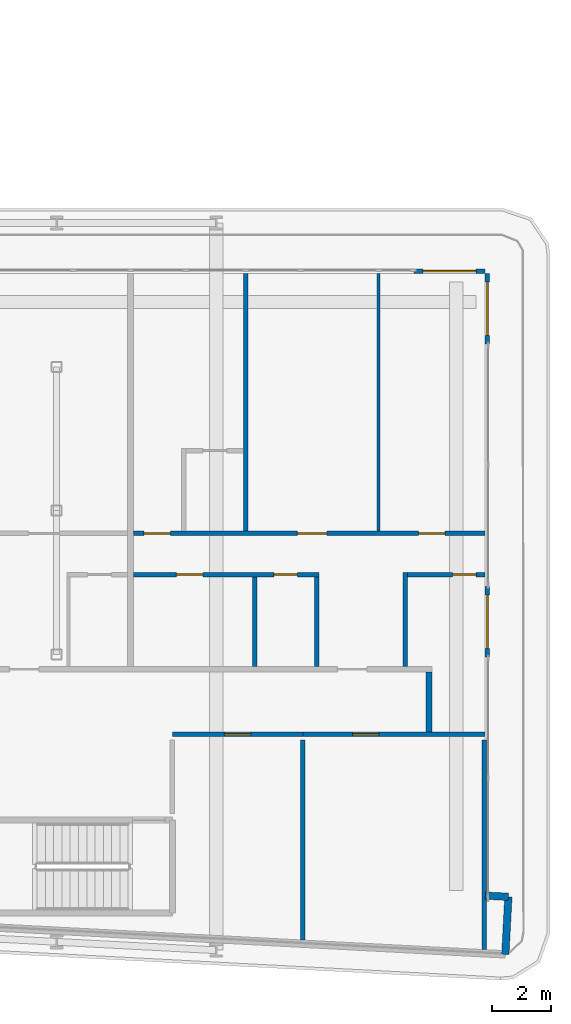
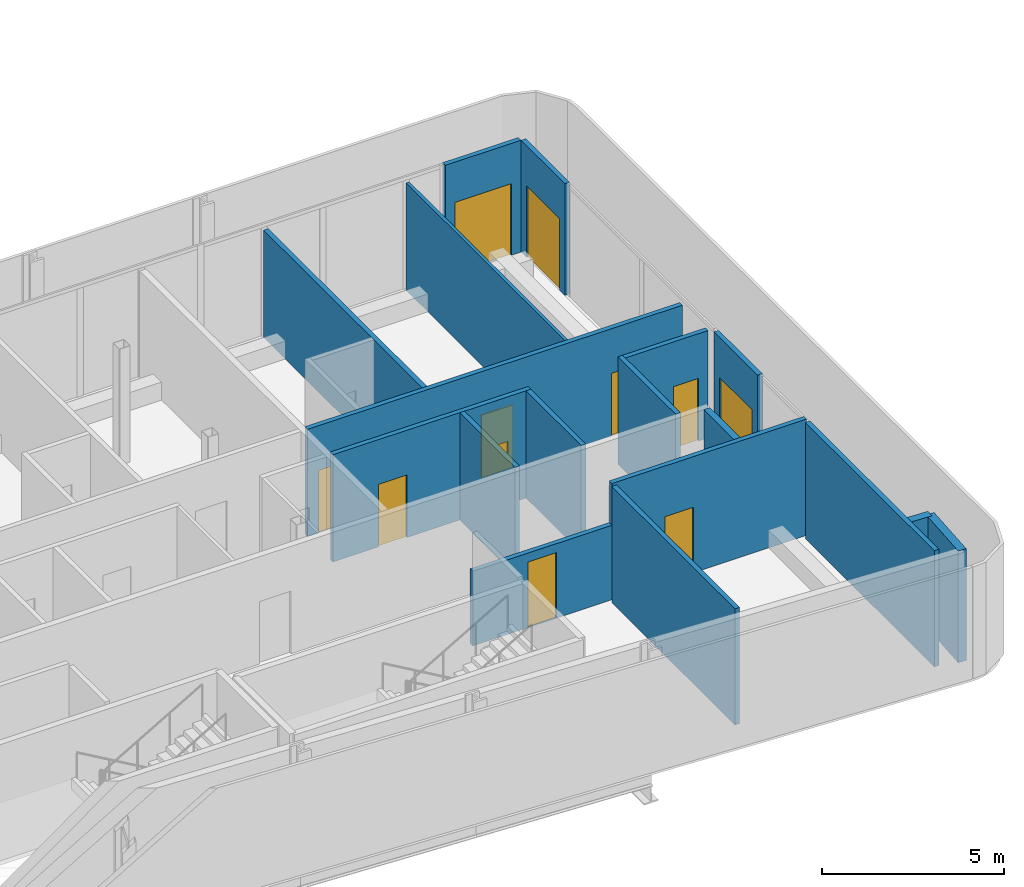
# One storey, part 20 of 29: 18 walls, 11 doors, 11 openings.
"""IFC4 building model written with IfcOpenShell, lengths in metres."""

from ifc_helpers import new_model, si_unit, direction, frame, frame_2d, origin, place, context, subcontext, project, spatial, rectangle, extrude, source, transform, mapped, material, layer, layer_set, type_object, element, fill, save


model = new_model("IFC4")

# Units and contexts
model_context = context("Model", 3, precision=1e-05, world=origin(), true_north=direction((0.0, 1.0)))
body_context = subcontext(model_context, "Body", "Model", "MODEL_VIEW")
ifc_project = project(units=[si_unit("LENGTHUNIT", "METRE"), si_unit("AREAUNIT", "SQUARE_METRE"), si_unit("VOLUMEUNIT", "CUBIC_METRE"), si_unit("PLANEANGLEUNIT", "RADIAN"), si_unit("MASSUNIT", "GRAM", prefix="KILO")], contexts=[model_context])

# Site, building, storey
site_placement = place(None, origin())
site = spatial("IfcSite", under=ifc_project, at=site_placement, CompositionType="ELEMENT")
building_placement = place(site_placement, origin())
building = spatial("IfcBuilding", under=site, at=building_placement, Name="Kheshtan School and Residences Tower", CompositionType="ELEMENT")
storey_placement = place(building_placement, frame((0.0, 0.0, 65.60009765625)))
storey = spatial("IfcBuildingStorey", under=building, at=storey_placement, Name="L15", CompositionType="ELEMENT", Elevation=65.60009765625)

# Walls
ifc_material_1 = material(Name="Gypsum board on steel studs with fire boards", Category="steel")
ifc_layer_1 = layer(ifc_material_1, 0.199951171875)
ifc_layer_set_1 = layer_set([ifc_layer_1], Name="Corridor wall 200")
wall_type_1 = type_object("IfcWallType", Name="Corridor wall 200", PredefinedType="PARTITIONING", material=ifc_layer_set_1)
wall_1_placement = place(storey_placement, frame((98.0, 28.3740234375, 0.0), z_axis=(0.0, 0.0, 1.0), x_axis=(0.0, 1.0, 0.0)))
element("IfcWall", 1, at=wall_1_placement, inside=storey, type_object=wall_type_1, Name="Partition L15-083", PredefinedType="PARTITIONING", context=body_context, shape_type="SweptSolid", body=[
    extrude(rectangle(XDim=2.02587890625, YDim=0.199951171875, at=frame_2d((1.012939453125, 0.0))), origin(), (0.0, 0.0, 1.0), 3.599853515625),
])
ifc_material_2 = material(Name="Concrete C40/50 with ceramic cladding and mineral wool insulation", Category="concrete")
ifc_layer_2 = layer(ifc_material_2, 0.25)
ifc_layer_set_2 = layer_set([ifc_layer_2], Name="External wall 250 ceramic clad")
wall_type_2 = type_object("IfcWallType", Name="External wall 250 ceramic clad", PredefinedType="SOLIDWALL", material=ifc_layer_set_2)
wall_2_placement = place(storey_placement, frame((99.906982421875, 22.839111328125, 0.0), z_axis=(0.0, 0.0, 1.0), x_axis=(0.998561284263, -0.053622398031, 0.0)))
element("IfcWall", 2, at=wall_2_placement, inside=storey, type_object=wall_type_2, Name="External wall L15 14", PredefinedType="SOLIDWALL", context=body_context, shape_type="SweptSolid", body=[
    extrude(rectangle(XDim=0.783203125, YDim=0.25, at=frame_2d((0.3916015625, 0.0))), origin(), (0.0, 0.0, 1.0), 3.75),
])
wall_3_placement = place(storey_placement, frame((100.68896484375, 22.797119140625, 0.0), z_axis=(0.0, 0.0, 1.0), x_axis=(-0.052841433274, -0.998602915542, 0.0)))
element("IfcWall", 3, at=wall_3_placement, inside=storey, type_object=wall_type_2, Name="External wall L15 15", PredefinedType="SOLIDWALL", context=body_context, shape_type="SweptSolid", body=[
    extrude(rectangle(XDim=1.94970703125, YDim=0.25, at=frame_2d((0.974853515625, 0.0))), origin(), (0.0, 0.0, 1.0), 3.75),
])

# Wall, opening, door
ifc_material_3 = material(Name="Aluminium frame wall with insulated infill", Category="aluminium")
ifc_layer_3 = layer(ifc_material_3, 0.14990234375)
ifc_layer_set_3 = layer_set([ifc_layer_3], Name="Glazing frame wall 150")
wall_type_3 = type_object("IfcWallType", Name="Glazing frame wall 150", PredefinedType="SOLIDWALL", material=ifc_layer_set_3)
wall_4_placement = place(storey_placement, frame((97.5, 43.97509765625, 0.0), z_axis=(0.0, 0.0, 1.0), x_axis=(1.0, 0.0, 0.0)))
wall_4 = element("IfcWall", 4, at=wall_4_placement, inside=storey, type_object=wall_type_3, Name="Balcony door wall L15 12.5", PredefinedType="SOLIDWALL", context=body_context, shape_type="SweptSolid", body=[
    extrude(rectangle(XDim=2.39990234375, YDim=0.14990234375, at=frame_2d((1.199951171875, 0.0))), origin(), (0.0, 0.0, 1.0), 3.75),
])
opening_1_placement = place(wall_4_placement, frame((0.300048828125, 0.0, 0.0)))
opening_1 = element("IfcOpeningElement", 5, at=opening_1_placement, cuts=wall_4, Name="Opening BD", PredefinedType="OPENING", context=body_context, shape_type="SweptSolid", body=[
    extrude(rectangle(XDim=1.800048828125, YDim=2.39990234375, at=frame_2d((0.89990234375, 1.199951171875))), frame((0.0, 0.0849609375, 0.0), z_axis=(0.0, -1.0, 0.0), x_axis=(1.0, 0.0, 0.0)), (0.0, 0.0, 1.0), 0.169921875),
])
ifc_material_4 = material(Name="Clear low-e glass in thermally broken aluminium frame", Category="aluminium")
door_type_1 = type_object("IfcDoorType", Name="Balcony sliding door", OperationType="SLIDING_TO_LEFT", PredefinedType="DOOR", material=ifc_material_4)
shared_shape_1 = source(origin(), body_context, "Body", "SweptSolid", [
    extrude(rectangle(XDim=1.800048828125, YDim=2.39990234375, at=frame_2d((0.89990234375, 1.199951171875))), frame((0.0, 0.02490234375, 0.0), z_axis=(0.0, -1.0, 0.0), x_axis=(1.0, 0.0, 0.0)), (0.0, 0.0, 1.0), 0.050048828125),
])
door_1_placement = place(opening_1_placement, origin())
door_1 = element("IfcDoor", 6, at=door_1_placement, inside=storey, type_object=door_type_1, Name="Balcony door L15 12.5", OperationType="SLIDING_TO_LEFT", OverallHeight=2.39990234375, OverallWidth=1.800048828125, PredefinedType="DOOR", context=body_context, shape_type="MappedRepresentation", body=[
    mapped(shared_shape_1, transform((0.0, 0.0, 0.0), x_axis=(1.0, 0.0, 0.0), y_axis=(0.0, 1.0, 0.0), z_axis=(0.0, 0.0, 1.0), scale=1.0)),
])
fill(opening_1, door_1)

wall_5_placement = place(storey_placement, frame((99.97509765625, 43.89990234375, 0.0), z_axis=(0.0, 0.0, 1.0), x_axis=(0.0, -1.0, 0.0)))
wall_5 = element("IfcWall", 7, at=wall_5_placement, inside=storey, type_object=wall_type_3, Name="Balcony door wall L15 13.1", PredefinedType="SOLIDWALL", context=body_context, shape_type="SweptSolid", body=[
    extrude(rectangle(XDim=2.39990234375, YDim=0.14990234375, at=frame_2d((1.199951171875, 0.0))), origin(), (0.0, 0.0, 1.0), 3.75),
])
opening_2_placement = place(wall_5_placement, frame((0.300048828125, 0.0, 0.0)))
opening_2 = element("IfcOpeningElement", 8, at=opening_2_placement, cuts=wall_5, Name="Opening BD", PredefinedType="OPENING", context=body_context, shape_type="SweptSolid", body=[
    extrude(rectangle(XDim=1.800048828125, YDim=2.39990234375, at=frame_2d((0.89990234375, 1.199951171875))), frame((0.0, 0.0849609375, 0.0), z_axis=(0.0, -1.0, 0.0), x_axis=(1.0, 0.0, 0.0)), (0.0, 0.0, 1.0), 0.169921875),
])
door_2_placement = place(opening_2_placement, origin())
door_2 = element("IfcDoor", 9, at=door_2_placement, inside=storey, type_object=door_type_1, Name="Balcony door L15 13.1", OperationType="SLIDING_TO_LEFT", OverallHeight=2.39990234375, OverallWidth=1.800048828125, PredefinedType="DOOR", context=body_context, shape_type="MappedRepresentation", body=[
    mapped(shared_shape_1, transform((0.0, 0.0, 0.0), x_axis=(1.0, 0.0, 0.0), y_axis=(0.0, 1.0, 0.0), z_axis=(0.0, 0.0, 1.0), scale=1.0)),
])
fill(opening_2, door_2)

wall_6_placement = place(storey_placement, frame((99.97509765625, 33.306884765625, 0.0), z_axis=(0.0, 0.0, 1.0), x_axis=(0.0, -1.0, 0.0)))
wall_6 = element("IfcWall", 10, at=wall_6_placement, inside=storey, type_object=wall_type_3, Name="Balcony door wall L15 13.2", PredefinedType="SOLIDWALL", context=body_context, shape_type="SweptSolid", body=[
    extrude(rectangle(XDim=2.39990234375, YDim=0.14990234375, at=frame_2d((1.199951171875, 0.0))), origin(), (0.0, 0.0, 1.0), 3.75),
])
opening_3_placement = place(wall_6_placement, frame((0.300048828125, 0.0, 0.0)))
opening_3 = element("IfcOpeningElement", 11, at=opening_3_placement, cuts=wall_6, Name="Opening BD", PredefinedType="OPENING", context=body_context, shape_type="SweptSolid", body=[
    extrude(rectangle(XDim=1.800048828125, YDim=2.39990234375, at=frame_2d((0.89990234375, 1.199951171875))), frame((0.0, 0.0849609375, 0.0), z_axis=(0.0, -1.0, 0.0), x_axis=(1.0, 0.0, 0.0)), (0.0, 0.0, 1.0), 0.169921875),
])
door_3_placement = place(opening_3_placement, origin())
door_3 = element("IfcDoor", 12, at=door_3_placement, inside=storey, type_object=door_type_1, Name="Balcony door L15 13.2", OperationType="SLIDING_TO_LEFT", OverallHeight=2.39990234375, OverallWidth=1.800048828125, PredefinedType="DOOR", context=body_context, shape_type="MappedRepresentation", body=[
    mapped(shared_shape_1, transform((0.0, 0.0, 0.0), x_axis=(1.0, 0.0, 0.0), y_axis=(0.0, 1.0, 0.0), z_axis=(0.0, 0.0, 1.0), scale=1.0)),
])
fill(opening_3, door_3)

# Wall
ifc_material_5 = material(Name="Gypsum board on steel studs", Category="steel")
ifc_layer_4 = layer(ifc_material_5, 0.10009765625)
ifc_layer_set_4 = layer_set([ifc_layer_4], Name="Gypsum partition 100")
wall_type_4 = type_object("IfcWallType", Name="Gypsum partition 100", PredefinedType="PARTITIONING", material=ifc_layer_set_4)
wall_7_placement = place(storey_placement, frame((96.300048828125, 35.175048828125, 0.0), z_axis=(0.0, 0.0, 1.0), x_axis=(0.0, 1.0, 0.0)))
element("IfcWall", 13, at=wall_7_placement, inside=storey, type_object=wall_type_4, Name="Partition L15-080", PredefinedType="PARTITIONING", context=body_context, shape_type="SweptSolid", body=[
    extrude(rectangle(XDim=8.724853515625, YDim=0.10009765625, at=frame_2d((4.3623046875, 0.0))), origin(), (0.0, 0.0, 1.0), 3.599853515625),
])

# Wall, opening, door
ifc_material_6 = material(Name="Fire-board shaft wall system")
ifc_layer_5 = layer(ifc_material_6, 0.14990234375)
ifc_layer_set_5 = layer_set([ifc_layer_5], Name="Service room wall 150")
wall_type_5 = type_object("IfcWallType", Name="Service room wall 150", PredefinedType="PARTITIONING", material=ifc_layer_set_5)
wall_8_placement = place(storey_placement, frame((89.320068359375, 28.300048828125, 0.0), z_axis=(0.0, 0.0, 1.0), x_axis=(1.0, 0.0, 0.0)))
wall_8 = element("IfcWall", 14, at=wall_8_placement, inside=storey, type_object=wall_type_5, Name="Service room wall", PredefinedType="PARTITIONING", context=body_context, shape_type="SweptSolid", body=[
    extrude(rectangle(XDim=4.412841796875, YDim=0.14990234375, at=frame_2d((2.20654296875, 0.0))), origin(), (0.0, 0.0, 1.0), 2.5),
])
opening_4_placement = place(wall_8_placement, frame((1.756103515625, 0.0, 0.0)))
opening_4 = element("IfcOpeningElement", 15, at=opening_4_placement, cuts=wall_8, Name="Opening SR90", PredefinedType="OPENING", context=body_context, shape_type="SweptSolid", body=[
    extrude(rectangle(XDim=0.89990234375, YDim=2.199951171875, at=frame_2d((0.449951171875, 1.10009765625))), frame((0.0, 0.0849609375, 0.0), z_axis=(0.0, -1.0, 0.0), x_axis=(1.0, 0.0, 0.0)), (0.0, 0.0, 1.0), 0.169921875),
])
ifc_material_7 = material(Name="Steel door leaf, galvanised", Category="steel")
door_type_2 = type_object("IfcDoorType", Name="Service room door 900 steel 90 min", OperationType="SINGLE_SWING_LEFT", PredefinedType="DOOR", material=ifc_material_7)
shared_shape_2 = source(origin(), body_context, "Body", "SweptSolid", [
    extrude(rectangle(XDim=0.89990234375, YDim=2.199951171875, at=frame_2d((0.449951171875, 1.10009765625))), frame((0.0, 0.02490234375, 0.0), z_axis=(0.0, -1.0, 0.0), x_axis=(1.0, 0.0, 0.0)), (0.0, 0.0, 1.0), 0.050048828125),
])
door_4_placement = place(opening_4_placement, origin())
door_4 = element("IfcDoor", 16, at=door_4_placement, inside=storey, type_object=door_type_2, Name="Service room door", OperationType="SINGLE_SWING_LEFT", OverallHeight=2.199951171875, OverallWidth=0.89990234375, PredefinedType="DOOR", context=body_context, shape_type="MappedRepresentation", body=[
    mapped(shared_shape_2, transform((0.0, 0.0, 0.0), x_axis=(1.0, 0.0, 0.0), y_axis=(0.0, 1.0, 0.0), z_axis=(0.0, 0.0, 1.0), scale=1.0)),
])
fill(opening_4, door_4)

# Wall
wall_9_placement = place(storey_placement, frame((93.73291015625, 21.337890625, 0.0), z_axis=(0.0, 0.0, 1.0), x_axis=(0.0, 1.0, 0.0)))
element("IfcWall", 17, at=wall_9_placement, inside=storey, type_object=wall_type_5, Name="Service room wall", PredefinedType="PARTITIONING", context=body_context, shape_type="SweptSolid", body=[
    extrude(rectangle(XDim=6.76708984375, YDim=0.14990234375, at=frame_2d((3.383544921875, 0.0))), origin(), (0.0, 0.0, 1.0), 3.89990234375),
])

# Wall, opening, door
wall_10_placement = place(storey_placement, frame((93.73291015625, 28.300048828125, 0.0), z_axis=(0.0, 0.0, 1.0), x_axis=(1.0, 0.0, 0.0)))
wall_10 = element("IfcWall", 18, at=wall_10_placement, inside=storey, type_object=wall_type_5, Name="Service room wall", PredefinedType="PARTITIONING", context=body_context, shape_type="SweptSolid", body=[
    extrude(rectangle(XDim=6.1650390625, YDim=0.14990234375, at=frame_2d((3.08251953125, 0.0))), origin(), (0.0, 0.0, 1.0), 3.89990234375),
])
opening_5_placement = place(wall_10_placement, frame((1.68310546875, 0.0, 0.0)))
opening_5 = element("IfcOpeningElement", 19, at=opening_5_placement, cuts=wall_10, Name="Opening SR90", PredefinedType="OPENING", context=body_context, shape_type="SweptSolid", body=[
    extrude(rectangle(XDim=0.89990234375, YDim=2.199951171875, at=frame_2d((0.449951171875, 1.10009765625))), frame((0.0, 0.0849609375, 0.0), z_axis=(0.0, -1.0, 0.0), x_axis=(1.0, 0.0, 0.0)), (0.0, 0.0, 1.0), 0.169921875),
])
door_5_placement = place(opening_5_placement, origin())
door_5 = element("IfcDoor", 20, at=door_5_placement, inside=storey, type_object=door_type_2, Name="Service room door", OperationType="SINGLE_SWING_RIGHT", OverallHeight=2.199951171875, OverallWidth=0.89990234375, PredefinedType="DOOR", context=body_context, shape_type="MappedRepresentation", body=[
    mapped(shared_shape_2, transform((0.0, 0.0, 0.0), x_axis=(1.0, 0.0, 0.0), y_axis=(0.0, 1.0, 0.0), z_axis=(0.0, 0.0, 1.0), scale=1.0)),
])
fill(opening_5, door_5)

# Wall
wall_11_placement = place(storey_placement, frame((99.8701171875, 21.014892578125, 0.0), z_axis=(0.0, 0.0, 1.0), x_axis=(0.0, 1.0, 0.0)))
element("IfcWall", 21, at=wall_11_placement, inside=storey, type_object=wall_type_5, Name="Service room wall", PredefinedType="PARTITIONING", context=body_context, shape_type="SweptSolid", body=[
    extrude(rectangle(XDim=7.090087890625, YDim=0.14990234375, at=frame_2d((3.544921875, 0.0))), origin(), (0.0, 0.0, 1.0), 3.89990234375),
])

# Wall, openings, doors
ifc_material_8 = material(Name="Moisture-resistant gypsum board on steel studs", Category="steel")
ifc_layer_6 = layer(ifc_material_8, 0.14990234375)
ifc_layer_set_6 = layer_set([ifc_layer_6], Name="Wet-room partition 150")
wall_type_6 = type_object("IfcWallType", Name="Wet-room partition 150", PredefinedType="PARTITIONING", material=ifc_layer_set_6)
wall_12_placement = place(storey_placement, frame((88.0, 33.699951171875, 0.0), z_axis=(0.0, 0.0, 1.0), x_axis=(1.0, 0.0, 0.0)))
wall_12 = element("IfcWall", 22, at=wall_12_placement, inside=storey, type_object=wall_type_6, Name="Partition L15-073", PredefinedType="PARTITIONING", context=body_context, shape_type="SweptSolid", body=[
    extrude(rectangle(XDim=6.27490234375, YDim=0.14990234375, at=frame_2d((3.137451171875, 0.0))), origin(), (0.0, 0.0, 1.0), 3.599853515625),
])
opening_6_placement = place(wall_12_placement, frame((1.449951171875, 0.0, 0.0)))
opening_6 = element("IfcOpeningElement", 23, at=opening_6_placement, cuts=wall_12, Name="Opening D14-029", PredefinedType="OPENING", context=body_context, shape_type="SweptSolid", body=[
    extrude(rectangle(XDim=0.89990234375, YDim=2.10009765625, at=frame_2d((0.449951171875, 1.050048828125))), frame((0.0, 0.0849609375, 0.0), z_axis=(0.0, -1.0, 0.0), x_axis=(1.0, 0.0, 0.0)), (0.0, 0.0, 1.0), 0.169921875),
])
opening_7_placement = place(wall_12_placement, frame((4.75, 0.0, 0.0)))
opening_7 = element("IfcOpeningElement", 24, at=opening_7_placement, cuts=wall_12, Name="Opening D14-032", PredefinedType="OPENING", context=body_context, shape_type="SweptSolid", body=[
    extrude(rectangle(XDim=0.800048828125, YDim=2.10009765625, at=frame_2d((0.39990234375, 1.050048828125))), frame((0.0, 0.0849609375, 0.0), z_axis=(0.0, -1.0, 0.0), x_axis=(1.0, 0.0, 0.0)), (0.0, 0.0, 1.0), 0.169921875),
])
ifc_material_9 = material(Name="Veneered timber door leaf", Category="wood")
door_type_3 = type_object("IfcDoorType", Name="Door 800 x 2100", OperationType="SINGLE_SWING_LEFT", PredefinedType="DOOR", material=ifc_material_9)
shared_shape_3 = source(origin(), body_context, "Body", "SweptSolid", [
    extrude(rectangle(XDim=0.800048828125, YDim=2.10009765625, at=frame_2d((0.39990234375, 1.050048828125))), frame((0.0, 0.02490234375, 0.0), z_axis=(0.0, -1.0, 0.0), x_axis=(1.0, 0.0, 0.0)), (0.0, 0.0, 1.0), 0.050048828125),
])
door_6_placement = place(opening_7_placement, origin())
door_6 = element("IfcDoor", 25, at=door_6_placement, inside=storey, type_object=door_type_3, Name="Door D14-032", OperationType="SINGLE_SWING_LEFT", OverallHeight=2.10009765625, OverallWidth=0.800048828125, PredefinedType="DOOR", context=body_context, shape_type="MappedRepresentation", body=[
    mapped(shared_shape_3, transform((0.0, 0.0, 0.0), x_axis=(1.0, 0.0, 0.0), y_axis=(0.0, 1.0, 0.0), z_axis=(0.0, 0.0, 1.0), scale=1.0)),
])
fill(opening_7, door_6)
door_type_4 = type_object("IfcDoorType", Name="Door 900 x 2100", OperationType="SINGLE_SWING_LEFT", PredefinedType="DOOR", material=ifc_material_9)
shared_shape_4 = source(origin(), body_context, "Body", "SweptSolid", [
    extrude(rectangle(XDim=0.89990234375, YDim=2.10009765625, at=frame_2d((0.449951171875, 1.050048828125))), frame((0.0, 0.02490234375, 0.0), z_axis=(0.0, -1.0, 0.0), x_axis=(1.0, 0.0, 0.0)), (0.0, 0.0, 1.0), 0.050048828125),
])
door_7_placement = place(opening_6_placement, origin())
door_7 = element("IfcDoor", 26, at=door_7_placement, inside=storey, type_object=door_type_4, Name="Door D14-029", OperationType="SINGLE_SWING_LEFT", OverallHeight=2.10009765625, OverallWidth=0.89990234375, PredefinedType="DOOR", context=body_context, shape_type="MappedRepresentation", body=[
    mapped(shared_shape_4, transform((0.0, 0.0, 0.0), x_axis=(1.0, 0.0, 0.0), y_axis=(0.0, 1.0, 0.0), z_axis=(0.0, 0.0, 1.0), scale=1.0)),
])
fill(opening_6, door_7)

wall_13_placement = place(storey_placement, frame((88.0, 35.10009765625, 0.0), z_axis=(0.0, 0.0, 1.0), x_axis=(1.0, 0.0, 0.0)))
wall_13 = element("IfcWall", 27, at=wall_13_placement, inside=storey, type_object=wall_type_6, Name="Partition L15-074", PredefinedType="PARTITIONING", context=body_context, shape_type="SweptSolid", body=[
    extrude(rectangle(XDim=11.89990234375, YDim=0.14990234375, at=frame_2d((5.949951171875, 0.0))), origin(), (0.0, 0.0, 1.0), 3.599853515625),
])
opening_8_placement = place(wall_13_placement, frame((9.64990234375, 0.0, 0.0)))
opening_8 = element("IfcOpeningElement", 28, at=opening_8_placement, cuts=wall_13, Name="Opening D14-026", PredefinedType="OPENING", context=body_context, shape_type="SweptSolid", body=[
    extrude(rectangle(XDim=0.89990234375, YDim=2.10009765625, at=frame_2d((0.449951171875, 1.050048828125))), frame((0.0, 0.0849609375, 0.0), z_axis=(0.0, -1.0, 0.0), x_axis=(1.0, 0.0, 0.0)), (0.0, 0.0, 1.0), 0.169921875),
])
opening_9_placement = place(wall_13_placement, frame((5.550048828125, 0.0, 0.0)))
opening_9 = element("IfcOpeningElement", 29, at=opening_9_placement, cuts=wall_13, Name="Opening D14-030", PredefinedType="OPENING", context=body_context, shape_type="SweptSolid", body=[
    extrude(rectangle(XDim=1.0, YDim=2.10009765625, at=frame_2d((0.5, 1.050048828125))), frame((0.0, 0.0849609375, 0.0), z_axis=(0.0, -1.0, 0.0), x_axis=(1.0, 0.0, 0.0)), (0.0, 0.0, 1.0), 0.169921875),
])
opening_10_placement = place(wall_13_placement, frame((0.35009765625, 0.0, 0.0)))
opening_10 = element("IfcOpeningElement", 30, at=opening_10_placement, cuts=wall_13, Name="Opening D14-031", PredefinedType="OPENING", context=body_context, shape_type="SweptSolid", body=[
    extrude(rectangle(XDim=0.89990234375, YDim=2.10009765625, at=frame_2d((0.449951171875, 1.050048828125))), frame((0.0, 0.0849609375, 0.0), z_axis=(0.0, -1.0, 0.0), x_axis=(1.0, 0.0, 0.0)), (0.0, 0.0, 1.0), 0.169921875),
])
door_type_5 = type_object("IfcDoorType", Name="Door 1000 x 2100", OperationType="SINGLE_SWING_LEFT", PredefinedType="DOOR", material=ifc_material_9)
shared_shape_5 = source(origin(), body_context, "Body", "SweptSolid", [
    extrude(rectangle(XDim=1.0, YDim=2.10009765625, at=frame_2d((0.5, 1.050048828125))), frame((0.0, 0.02490234375, 0.0), z_axis=(0.0, -1.0, 0.0), x_axis=(1.0, 0.0, 0.0)), (0.0, 0.0, 1.0), 0.050048828125),
])
door_8_placement = place(opening_9_placement, origin())
door_8 = element("IfcDoor", 31, at=door_8_placement, inside=storey, type_object=door_type_5, Name="Door D14-030", OperationType="SINGLE_SWING_LEFT", OverallHeight=2.10009765625, OverallWidth=1.0, PredefinedType="DOOR", context=body_context, shape_type="MappedRepresentation", body=[
    mapped(shared_shape_5, transform((0.0, 0.0, 0.0), x_axis=(1.0, 0.0, 0.0), y_axis=(0.0, 1.0, 0.0), z_axis=(0.0, 0.0, 1.0), scale=1.0)),
])
fill(opening_9, door_8)
door_9_placement = place(opening_8_placement, origin())
door_9 = element("IfcDoor", 32, at=door_9_placement, inside=storey, type_object=door_type_4, Name="Door D14-026", OperationType="SINGLE_SWING_LEFT", OverallHeight=2.10009765625, OverallWidth=0.89990234375, PredefinedType="DOOR", context=body_context, shape_type="MappedRepresentation", body=[
    mapped(shared_shape_4, transform((0.0, 0.0, 0.0), x_axis=(1.0, 0.0, 0.0), y_axis=(0.0, 1.0, 0.0), z_axis=(0.0, 0.0, 1.0), scale=1.0)),
])
fill(opening_8, door_9)
door_10_placement = place(opening_10_placement, origin())
door_10 = element("IfcDoor", 33, at=door_10_placement, inside=storey, type_object=door_type_4, Name="Door D14-031", OperationType="SINGLE_SWING_RIGHT", OverallHeight=2.10009765625, OverallWidth=0.89990234375, PredefinedType="DOOR", context=body_context, shape_type="MappedRepresentation", body=[
    mapped(shared_shape_4, transform((0.0, 0.0, 0.0), x_axis=(1.0, 0.0, 0.0), y_axis=(0.0, 1.0, 0.0), z_axis=(0.0, 0.0, 1.0), scale=1.0)),
])
fill(opening_10, door_10)

# Walls
wall_14_placement = place(storey_placement, frame((91.800048828125, 35.175048828125, 0.0), z_axis=(0.0, 0.0, 1.0), x_axis=(0.0, 1.0, 0.0)))
element("IfcWall", 34, at=wall_14_placement, inside=storey, type_object=wall_type_6, Name="Partition L15-077", PredefinedType="PARTITIONING", context=body_context, shape_type="SweptSolid", body=[
    extrude(rectangle(XDim=8.724853515625, YDim=0.14990234375, at=frame_2d((4.3623046875, 0.0))), origin(), (0.0, 0.0, 1.0), 3.599853515625),
])
for number, where, z_axis, x_axis, name in (
    (35, (92.10009765625, 30.60009765625, 0.0), (0.0, 0.0, 1.0), (0.0, 1.0, 0.0), "Partition L15-078"),
    (36, (94.199951171875, 30.60009765625, 0.0), (0.0, 0.0, 1.0), (0.0, 1.0, 0.0), "Partition L15-079"),
):
    element("IfcWall", number, at=place(storey_placement, frame(where, z_axis=z_axis, x_axis=x_axis)), inside=storey, type_object=wall_type_6, Name=name, PredefinedType="PARTITIONING", context=body_context, shape_type="SweptSolid", body=[
        extrude(rectangle(XDim=3.02490234375, YDim=0.14990234375, at=frame_2d((1.512451171875, 0.0))), origin(), (0.0, 0.0, 1.0), 3.599853515625),
    ])
wall_15_placement = place(storey_placement, frame((97.199951171875, 30.60009765625, 0.0), z_axis=(0.0, 0.0, 1.0), x_axis=(0.0, 1.0, 0.0)))
element("IfcWall", 37, at=wall_15_placement, inside=storey, type_object=wall_type_6, Name="Partition L15-081", PredefinedType="PARTITIONING", context=body_context, shape_type="SweptSolid", body=[
    extrude(rectangle(XDim=3.1748046875, YDim=0.14990234375, at=frame_2d((1.58740234375, 0.0))), origin(), (0.0, 0.0, 1.0), 3.599853515625),
])

# Wall, opening, door
wall_16_placement = place(storey_placement, frame((97.27490234375, 33.699951171875, 0.0), z_axis=(0.0, 0.0, 1.0), x_axis=(1.0, 0.0, 0.0)))
wall_16 = element("IfcWall", 38, at=wall_16_placement, inside=storey, type_object=wall_type_6, Name="Partition L15-082", PredefinedType="PARTITIONING", context=body_context, shape_type="SweptSolid", body=[
    extrude(rectangle(XDim=2.625, YDim=0.14990234375, at=frame_2d((1.3125, 0.0))), origin(), (0.0, 0.0, 1.0), 3.599853515625),
])
opening_11_placement = place(wall_16_placement, frame((1.52490234375, 0.0, 0.0)))
opening_11 = element("IfcOpeningElement", 39, at=opening_11_placement, cuts=wall_16, Name="Opening D14-025", PredefinedType="OPENING", context=body_context, shape_type="SweptSolid", body=[
    extrude(rectangle(XDim=0.800048828125, YDim=2.10009765625, at=frame_2d((0.39990234375, 1.050048828125))), frame((0.0, 0.0849609375, 0.0), z_axis=(0.0, -1.0, 0.0), x_axis=(1.0, 0.0, 0.0)), (0.0, 0.0, 1.0), 0.169921875),
])
door_11_placement = place(opening_11_placement, origin())
door_11 = element("IfcDoor", 40, at=door_11_placement, inside=storey, type_object=door_type_3, Name="Door D14-025", OperationType="SINGLE_SWING_RIGHT", OverallHeight=2.10009765625, OverallWidth=0.800048828125, PredefinedType="DOOR", context=body_context, shape_type="MappedRepresentation", body=[
    mapped(shared_shape_3, transform((0.0, 0.0, 0.0), x_axis=(1.0, 0.0, 0.0), y_axis=(0.0, 1.0, 0.0), z_axis=(0.0, 0.0, 1.0), scale=1.0)),
])
fill(opening_11, door_11)

save(model, "model.ifc")
